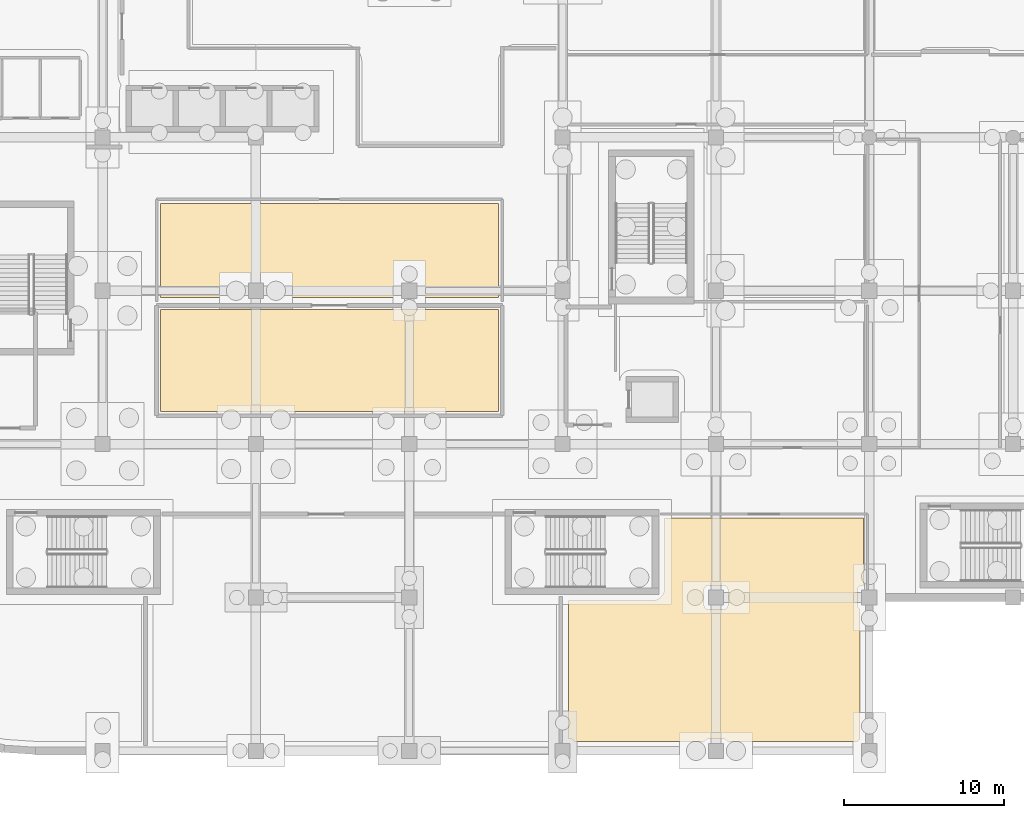
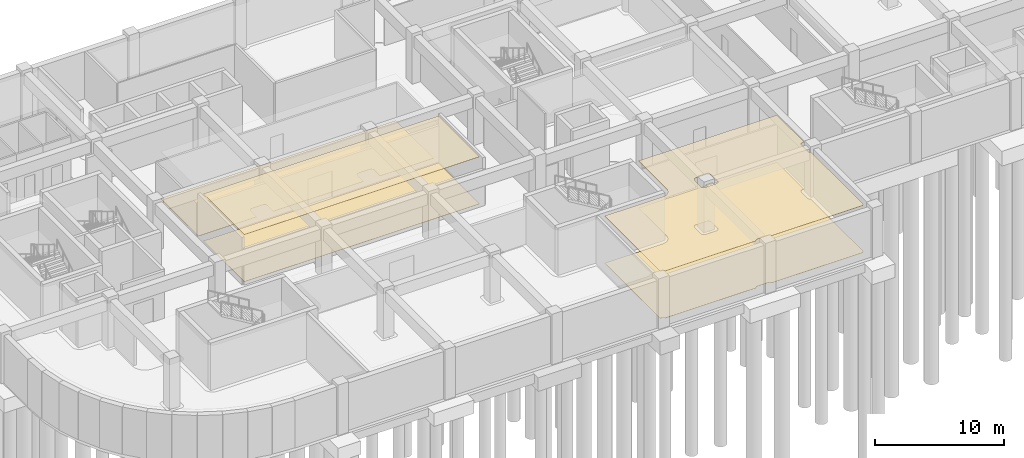
# One storey, part 25 of 47: 5 coverings.
"""IFC4 building model written with IfcOpenShell, lengths in metres."""

from ifc_helpers import new_model, si_unit, direction, frame, origin, place, context, subcontext, project, spatial, polyline, outline, extrude, material, layer, layer_set, type_object, element, save


model = new_model("IFC4")

# Units and contexts
model_context = context("Model", 3, precision=1e-05, world=origin(), true_north=direction((0.0, 1.0)))
body_context = subcontext(model_context, "Body", "Model", "MODEL_VIEW")
ifc_project = project(units=[si_unit("LENGTHUNIT", "METRE"), si_unit("AREAUNIT", "SQUARE_METRE"), si_unit("VOLUMEUNIT", "CUBIC_METRE"), si_unit("PLANEANGLEUNIT", "RADIAN"), si_unit("MASSUNIT", "GRAM", prefix="KILO")], contexts=[model_context])

# Site, building, storey
site_placement = place(None, origin())
site = spatial("IfcSite", under=ifc_project, at=site_placement, CompositionType="ELEMENT")
building_placement = place(site_placement, origin())
building = spatial("IfcBuilding", under=site, at=building_placement, Name="Cendralis Terraced Arcade", CompositionType="ELEMENT")
storey_placement = place(building_placement, frame((0.0, 0.0, -4.800048828125)))
storey = spatial("IfcBuildingStorey", under=building, at=storey_placement, Name="B1", CompositionType="ELEMENT", Elevation=-4.800048828125)

# Coverings
ifc_material_1 = material(Name="Warm Andean oak timber", Category="wood")
ifc_layer_1 = layer(ifc_material_1, 0.034912109375, Name="COV-CEIL-OAK-35")
ifc_layer_set_1 = layer_set([ifc_layer_1], Name="Warm Andean oak timber")
covering_type_1 = type_object("IfcCoveringType", Name="COV-CEIL-OAK-35", PredefinedType="CEILING", material=ifc_layer_set_1)
covering_1_placement = place(storey_placement, frame((0.0, 0.0, 4.465087890625)))
element("IfcCovering", 1, at=covering_1_placement, inside=storey, type_object=covering_type_1, Name="Acoustic Soffit Ceiling B1-003", PredefinedType="CEILING", context=body_context, shape_type="SweptSolid", body=[
    extrude(outline(polyline([(43.969970703125, 21.22998046875), (22.830078125, 21.22998046875), (22.830078125, 27.6298828125), (43.969970703125, 27.6298828125), (43.969970703125, 21.22998046875)])), origin(), (0.0, 0.0, 1.0), 0.034912109375),
])
covering_2_placement = place(storey_placement, frame((0.0, 0.0, 4.465087890625)))
element("IfcCovering", 2, at=covering_2_placement, inside=storey, type_object=covering_type_1, Name="Acoustic Soffit Ceiling B1-007", PredefinedType="CEILING", context=body_context, shape_type="SweptSolid", body=[
    extrude(outline(polyline([(48.718505859375, 0.59130859375), (48.70703125, 0.613037109375), (48.7060546875, 0.614501953125), (48.6923828125, 0.635009765625), (48.69140625, 0.63671875), (48.67578125, 0.655517578125), (48.67431640625, 0.656982421875), (48.656982421875, 0.67431640625), (48.655517578125, 0.67578125), (48.63671875, 0.69140625), (48.635009765625, 0.6923828125), (48.614501953125, 0.7060546875), (48.613037109375, 0.70703125), (48.59130859375, 0.718505859375), (48.589599609375, 0.719482421875), (48.56689453125, 0.72900390625), (48.56494140625, 0.7294921875), (48.54150390625, 0.736572265625), (48.53955078125, 0.737060546875), (48.515625, 0.741943359375), (48.513671875, 0.7421875), (48.4892578125, 0.74462890625), (48.4873046875, 0.74462890625), (48.47509765625, 0.7451171875), (48.3701171875, 0.7451171875), (48.3701171875, 9.409912109375), (53.60009765625, 9.409912109375), (53.606201171875, 9.41015625), (53.612060546875, 9.41015625), (53.6181640625, 9.410400390625), (53.6591796875, 9.41259765625), (53.671630859375, 9.413330078125), (53.683349609375, 9.41455078125), (53.695556640625, 9.416015625), (53.736083984375, 9.422119140625), (53.748291015625, 9.42431640625), (53.760009765625, 9.426513671875), (53.771728515625, 9.42919921875), (53.811767578125, 9.439208984375), (53.823486328125, 9.4423828125), (53.8349609375, 9.44580078125), (53.8466796875, 9.44970703125), (53.885498046875, 9.463623046875), (53.896728515625, 9.468017578125), (53.90771484375, 9.472412109375), (53.9189453125, 9.4775390625), (53.956298828125, 9.4951171875), (53.967041015625, 9.50048828125), (53.9775390625, 9.506103515625), (53.98828125, 9.51220703125), (54.023681640625, 9.533447265625), (54.033935546875, 9.5400390625), (54.043701171875, 9.54638671875), (54.0537109375, 9.5537109375), (54.0869140625, 9.578125), (54.096435546875, 9.585693359375), (54.105712890625, 9.59326171875), (54.114990234375, 9.601318359375), (54.1455078125, 9.62890625), (54.154296875, 9.63720703125), (54.16259765625, 9.645751953125), (54.171142578125, 9.654541015625), (54.19873046875, 9.68505859375), (54.206787109375, 9.6943359375), (54.21435546875, 9.70361328125), (54.221923828125, 9.713134765625), (54.246337890625, 9.746337890625), (54.25341796875, 9.75634765625), (54.260009765625, 9.76611328125), (54.2666015625, 9.7763671875), (54.287841796875, 9.811767578125), (54.293701171875, 9.822509765625), (54.29931640625, 9.8330078125), (54.304931640625, 9.84375), (54.322509765625, 9.881103515625), (54.327392578125, 9.892333984375), (54.33203125, 9.9033203125), (54.33642578125, 9.91455078125), (54.350341796875, 9.953369140625), (54.35400390625, 9.965087890625), (54.357666015625, 9.976318359375), (54.36083984375, 9.98828125), (54.370849609375, 10.0283203125), (54.37353515625, 10.0400390625), (54.375732421875, 10.0517578125), (54.3779296875, 10.063720703125), (54.384033203125, 10.1044921875), (54.385498046875, 10.11669921875), (54.38671875, 10.12841796875), (54.387451171875, 10.140625), (54.3896484375, 10.181884765625), (54.389892578125, 10.18798828125), (54.389892578125, 10.19384765625), (54.389892578125, 10.199951171875), (54.389892578125, 14.570068359375), (66.830078125, 14.570068359375), (66.830078125, 10.344970703125), (66.72509765625, 10.344970703125), (66.712646484375, 10.3447265625), (66.710693359375, 10.344482421875), (66.686279296875, 10.34228515625), (66.684326171875, 10.341796875), (66.660400390625, 10.337158203125), (66.658447265625, 10.336669921875), (66.635009765625, 10.32958984375), (66.633056640625, 10.328857421875), (66.610595703125, 10.319580078125), (66.608642578125, 10.318603515625), (66.5869140625, 10.30712890625), (66.58544921875, 10.30615234375), (66.56494140625, 10.29248046875), (66.5634765625, 10.291259765625), (66.54443359375, 10.275634765625), (66.54296875, 10.2744140625), (66.525634765625, 10.257080078125), (66.5244140625, 10.255615234375), (66.5087890625, 10.236572265625), (66.507568359375, 10.235107421875), (66.493896484375, 10.214599609375), (66.492919921875, 10.212890625), (66.4814453125, 10.19140625), (66.48046875, 10.189453125), (66.47119140625, 10.1669921875), (66.470458984375, 10.1650390625), (66.46337890625, 10.1416015625), (66.462890625, 10.1396484375), (66.4580078125, 10.115478515625), (66.457763671875, 10.113525390625), (66.455322265625, 10.089111328125), (66.455322265625, 10.08740234375), (66.455078125, 10.074951171875), (66.455078125, 9.125), (66.455322265625, 9.11279296875), (66.455322265625, 9.11083984375), (66.457763671875, 9.08642578125), (66.4580078125, 9.08447265625), (66.462890625, 9.060302734375), (66.46337890625, 9.058349609375), (66.470458984375, 9.034912109375), (66.47119140625, 9.033203125), (66.48046875, 9.010498046875), (66.4814453125, 9.0087890625), (66.492919921875, 8.987060546875), (66.493896484375, 8.9853515625), (66.507568359375, 8.965087890625), (66.5087890625, 8.96337890625), (66.5244140625, 8.9443359375), (66.525634765625, 8.943115234375), (66.54296875, 8.925537109375), (66.54443359375, 8.92431640625), (66.5634765625, 8.90869140625), (66.56494140625, 8.90771484375), (66.58544921875, 8.893798828125), (66.5869140625, 8.892822265625), (66.608642578125, 8.88134765625), (66.610107421875, 8.880615234375), (66.610107421875, 0.71923828125), (66.608642578125, 0.718505859375), (66.5869140625, 0.70703125), (66.58544921875, 0.7060546875), (66.56494140625, 0.6923828125), (66.5634765625, 0.69140625), (66.54443359375, 0.67578125), (66.54296875, 0.67431640625), (66.525634765625, 0.656982421875), (66.5244140625, 0.655517578125), (66.5087890625, 0.63671875), (66.507568359375, 0.635009765625), (66.493896484375, 0.614501953125), (66.492919921875, 0.613037109375), (66.4814453125, 0.59130859375), (66.480712890625, 0.590087890625), (58.3193359375, 0.590087890625), (58.318603515625, 0.59130859375), (58.30712890625, 0.613037109375), (58.30615234375, 0.614501953125), (58.29248046875, 0.635009765625), (58.291259765625, 0.63671875), (58.275634765625, 0.655517578125), (58.2744140625, 0.656982421875), (58.257080078125, 0.67431640625), (58.255615234375, 0.67578125), (58.236572265625, 0.69140625), (58.235107421875, 0.6923828125), (58.214599609375, 0.7060546875), (58.212890625, 0.70703125), (58.19140625, 0.718505859375), (58.189453125, 0.719482421875), (58.1669921875, 0.72900390625), (58.1650390625, 0.7294921875), (58.1416015625, 0.736572265625), (58.1396484375, 0.737060546875), (58.115478515625, 0.741943359375), (58.113525390625, 0.7421875), (58.089111328125, 0.74462890625), (58.08740234375, 0.74462890625), (58.074951171875, 0.7451171875), (57.125, 0.7451171875), (57.11279296875, 0.74462890625), (57.11083984375, 0.74462890625), (57.08642578125, 0.7421875), (57.08447265625, 0.741943359375), (57.060302734375, 0.737060546875), (57.058349609375, 0.736572265625), (57.034912109375, 0.7294921875), (57.033203125, 0.72900390625), (57.010498046875, 0.719482421875), (57.0087890625, 0.718505859375), (56.987060546875, 0.70703125), (56.9853515625, 0.7060546875), (56.965087890625, 0.6923828125), (56.96337890625, 0.69140625), (56.9443359375, 0.67578125), (56.943115234375, 0.67431640625), (56.925537109375, 0.656982421875), (56.92431640625, 0.655517578125), (56.90869140625, 0.63671875), (56.90771484375, 0.635009765625), (56.893798828125, 0.614501953125), (56.892822265625, 0.613037109375), (56.88134765625, 0.59130859375), (56.880615234375, 0.590087890625), (48.71923828125, 0.590087890625), (48.718505859375, 0.59130859375)]), holes=[polyline([(57.0087890625, 8.88134765625), (57.010498046875, 8.880615234375), (57.033203125, 8.87109375), (57.034912109375, 8.87060546875), (57.058349609375, 8.86328125), (57.060302734375, 8.86279296875), (57.08447265625, 8.858154296875), (57.08642578125, 8.85791015625), (57.11083984375, 8.85546875), (57.11279296875, 8.855224609375), (57.125, 8.85498046875), (58.074951171875, 8.85498046875), (58.08740234375, 8.855224609375), (58.089111328125, 8.85546875), (58.113525390625, 8.85791015625), (58.115478515625, 8.858154296875), (58.1396484375, 8.86279296875), (58.1416015625, 8.86328125), (58.1650390625, 8.87060546875), (58.1669921875, 8.87109375), (58.189453125, 8.880615234375), (58.19140625, 8.88134765625), (58.212890625, 8.892822265625), (58.214599609375, 8.893798828125), (58.235107421875, 8.90771484375), (58.236572265625, 8.90869140625), (58.255615234375, 8.92431640625), (58.257080078125, 8.925537109375), (58.2744140625, 8.943115234375), (58.275634765625, 8.9443359375), (58.291259765625, 8.96337890625), (58.29248046875, 8.965087890625), (58.30615234375, 8.9853515625), (58.30712890625, 8.987060546875), (58.318603515625, 9.0087890625), (58.319580078125, 9.010498046875), (58.328857421875, 9.033203125), (58.32958984375, 9.034912109375), (58.336669921875, 9.058349609375), (58.337158203125, 9.060302734375), (58.341796875, 9.08447265625), (58.34228515625, 9.08642578125), (58.344482421875, 9.11083984375), (58.3447265625, 9.11279296875), (58.344970703125, 9.125), (58.344970703125, 10.074951171875), (58.3447265625, 10.08740234375), (58.344482421875, 10.089111328125), (58.34228515625, 10.113525390625), (58.341796875, 10.115478515625), (58.337158203125, 10.1396484375), (58.336669921875, 10.1416015625), (58.32958984375, 10.1650390625), (58.328857421875, 10.1669921875), (58.319580078125, 10.189453125), (58.318603515625, 10.19140625), (58.30712890625, 10.212890625), (58.30615234375, 10.214599609375), (58.29248046875, 10.235107421875), (58.291259765625, 10.236572265625), (58.275634765625, 10.255615234375), (58.2744140625, 10.257080078125), (58.257080078125, 10.2744140625), (58.255615234375, 10.275634765625), (58.236572265625, 10.291259765625), (58.235107421875, 10.29248046875), (58.214599609375, 10.30615234375), (58.212890625, 10.30712890625), (58.19140625, 10.318603515625), (58.189453125, 10.319580078125), (58.1669921875, 10.328857421875), (58.1650390625, 10.32958984375), (58.1416015625, 10.336669921875), (58.1396484375, 10.337158203125), (58.115478515625, 10.341796875), (58.113525390625, 10.34228515625), (58.089111328125, 10.344482421875), (58.08740234375, 10.3447265625), (58.074951171875, 10.344970703125), (57.125, 10.344970703125), (57.11279296875, 10.3447265625), (57.11083984375, 10.344482421875), (57.08642578125, 10.34228515625), (57.08447265625, 10.341796875), (57.060302734375, 10.337158203125), (57.058349609375, 10.336669921875), (57.034912109375, 10.32958984375), (57.033203125, 10.328857421875), (57.010498046875, 10.319580078125), (57.0087890625, 10.318603515625), (56.987060546875, 10.30712890625), (56.9853515625, 10.30615234375), (56.965087890625, 10.29248046875), (56.96337890625, 10.291259765625), (56.9443359375, 10.275634765625), (56.943115234375, 10.2744140625), (56.925537109375, 10.257080078125), (56.92431640625, 10.255615234375), (56.90869140625, 10.236572265625), (56.90771484375, 10.235107421875), (56.893798828125, 10.214599609375), (56.892822265625, 10.212890625), (56.88134765625, 10.19140625), (56.880615234375, 10.189453125), (56.87109375, 10.1669921875), (56.87060546875, 10.1650390625), (56.86328125, 10.1416015625), (56.86279296875, 10.1396484375), (56.858154296875, 10.115478515625), (56.85791015625, 10.113525390625), (56.85546875, 10.089111328125), (56.855224609375, 10.08740234375), (56.85498046875, 10.074951171875), (56.85498046875, 9.125), (56.855224609375, 9.11279296875), (56.85546875, 9.11083984375), (56.85791015625, 9.08642578125), (56.858154296875, 9.08447265625), (56.86279296875, 9.060302734375), (56.86328125, 9.058349609375), (56.87060546875, 9.034912109375), (56.87109375, 9.033203125), (56.880615234375, 9.010498046875), (56.88134765625, 9.0087890625), (56.892822265625, 8.987060546875), (56.893798828125, 8.9853515625), (56.90771484375, 8.965087890625), (56.90869140625, 8.96337890625), (56.92431640625, 8.9443359375), (56.925537109375, 8.943115234375), (56.943115234375, 8.925537109375), (56.9443359375, 8.92431640625), (56.96337890625, 8.90869140625), (56.965087890625, 8.90771484375), (56.9853515625, 8.893798828125), (56.987060546875, 8.892822265625), (57.0087890625, 8.88134765625)])]), origin(), (0.0, 0.0, 1.0), 0.034912109375),
])
ifc_layer_2 = layer(ifc_material_1, 0.02197265625, Name="COV-FLR-OAK-22")
ifc_layer_set_2 = layer_set([ifc_layer_2], Name="Warm Andean oak timber")
covering_type_2 = type_object("IfcCoveringType", Name="COV-FLR-OAK-22", PredefinedType="FLOORING", material=ifc_layer_set_2)
covering_3_placement = place(storey_placement, origin())
element("IfcCovering", 3, at=covering_3_placement, inside=storey, type_object=covering_type_2, Name="Interior Finish Flooring B1-003", PredefinedType="FLOORING", context=body_context, shape_type="SweptSolid", body=[
    extrude(outline(polyline([(43.969970703125, 21.22998046875), (22.830078125, 21.22998046875), (22.830078125, 27.6298828125), (43.969970703125, 27.6298828125), (43.969970703125, 21.22998046875)])), origin(), (0.0, 0.0, 1.0), 0.02197265625),
])
covering_4_placement = place(storey_placement, origin())
element("IfcCovering", 4, at=covering_4_placement, inside=storey, type_object=covering_type_2, Name="Interior Finish Flooring B1-007", PredefinedType="FLOORING", context=body_context, shape_type="SweptSolid", body=[
    extrude(outline(polyline([(48.718505859375, 0.59130859375), (48.70703125, 0.613037109375), (48.7060546875, 0.614501953125), (48.6923828125, 0.635009765625), (48.69140625, 0.63671875), (48.67578125, 0.655517578125), (48.67431640625, 0.656982421875), (48.656982421875, 0.67431640625), (48.655517578125, 0.67578125), (48.63671875, 0.69140625), (48.635009765625, 0.6923828125), (48.614501953125, 0.7060546875), (48.613037109375, 0.70703125), (48.59130859375, 0.718505859375), (48.589599609375, 0.719482421875), (48.56689453125, 0.72900390625), (48.56494140625, 0.7294921875), (48.54150390625, 0.736572265625), (48.53955078125, 0.737060546875), (48.515625, 0.741943359375), (48.513671875, 0.7421875), (48.4892578125, 0.74462890625), (48.4873046875, 0.74462890625), (48.47509765625, 0.7451171875), (48.3701171875, 0.7451171875), (48.3701171875, 9.409912109375), (53.60009765625, 9.409912109375), (53.606201171875, 9.41015625), (53.612060546875, 9.41015625), (53.6181640625, 9.410400390625), (53.6591796875, 9.41259765625), (53.671630859375, 9.413330078125), (53.683349609375, 9.41455078125), (53.695556640625, 9.416015625), (53.736083984375, 9.422119140625), (53.748291015625, 9.42431640625), (53.760009765625, 9.426513671875), (53.771728515625, 9.42919921875), (53.811767578125, 9.439208984375), (53.823486328125, 9.4423828125), (53.8349609375, 9.44580078125), (53.8466796875, 9.44970703125), (53.885498046875, 9.463623046875), (53.896728515625, 9.468017578125), (53.90771484375, 9.472412109375), (53.9189453125, 9.4775390625), (53.956298828125, 9.4951171875), (53.967041015625, 9.50048828125), (53.9775390625, 9.506103515625), (53.98828125, 9.51220703125), (54.023681640625, 9.533447265625), (54.033935546875, 9.5400390625), (54.043701171875, 9.54638671875), (54.0537109375, 9.5537109375), (54.0869140625, 9.578125), (54.096435546875, 9.585693359375), (54.105712890625, 9.59326171875), (54.114990234375, 9.601318359375), (54.1455078125, 9.62890625), (54.154296875, 9.63720703125), (54.16259765625, 9.645751953125), (54.171142578125, 9.654541015625), (54.19873046875, 9.68505859375), (54.206787109375, 9.6943359375), (54.21435546875, 9.70361328125), (54.221923828125, 9.713134765625), (54.246337890625, 9.746337890625), (54.25341796875, 9.75634765625), (54.260009765625, 9.76611328125), (54.2666015625, 9.7763671875), (54.287841796875, 9.811767578125), (54.293701171875, 9.822509765625), (54.29931640625, 9.8330078125), (54.304931640625, 9.84375), (54.322509765625, 9.881103515625), (54.327392578125, 9.892333984375), (54.33203125, 9.9033203125), (54.33642578125, 9.91455078125), (54.350341796875, 9.953369140625), (54.35400390625, 9.965087890625), (54.357666015625, 9.976318359375), (54.36083984375, 9.98828125), (54.370849609375, 10.0283203125), (54.37353515625, 10.0400390625), (54.375732421875, 10.0517578125), (54.3779296875, 10.063720703125), (54.384033203125, 10.1044921875), (54.385498046875, 10.11669921875), (54.38671875, 10.12841796875), (54.387451171875, 10.140625), (54.3896484375, 10.181884765625), (54.389892578125, 10.18798828125), (54.389892578125, 10.19384765625), (54.389892578125, 10.199951171875), (54.389892578125, 14.570068359375), (66.830078125, 14.570068359375), (66.830078125, 10.344970703125), (66.72509765625, 10.344970703125), (66.712646484375, 10.3447265625), (66.710693359375, 10.344482421875), (66.686279296875, 10.34228515625), (66.684326171875, 10.341796875), (66.660400390625, 10.337158203125), (66.658447265625, 10.336669921875), (66.635009765625, 10.32958984375), (66.633056640625, 10.328857421875), (66.610595703125, 10.319580078125), (66.608642578125, 10.318603515625), (66.5869140625, 10.30712890625), (66.58544921875, 10.30615234375), (66.56494140625, 10.29248046875), (66.5634765625, 10.291259765625), (66.54443359375, 10.275634765625), (66.54296875, 10.2744140625), (66.525634765625, 10.257080078125), (66.5244140625, 10.255615234375), (66.5087890625, 10.236572265625), (66.507568359375, 10.235107421875), (66.493896484375, 10.214599609375), (66.492919921875, 10.212890625), (66.4814453125, 10.19140625), (66.48046875, 10.189453125), (66.47119140625, 10.1669921875), (66.470458984375, 10.1650390625), (66.46337890625, 10.1416015625), (66.462890625, 10.1396484375), (66.4580078125, 10.115478515625), (66.457763671875, 10.113525390625), (66.455322265625, 10.089111328125), (66.455322265625, 10.08740234375), (66.455078125, 10.074951171875), (66.455078125, 9.125), (66.455322265625, 9.11279296875), (66.455322265625, 9.11083984375), (66.457763671875, 9.08642578125), (66.4580078125, 9.08447265625), (66.462890625, 9.060302734375), (66.46337890625, 9.058349609375), (66.470458984375, 9.034912109375), (66.47119140625, 9.033203125), (66.48046875, 9.010498046875), (66.4814453125, 9.0087890625), (66.492919921875, 8.987060546875), (66.493896484375, 8.9853515625), (66.507568359375, 8.965087890625), (66.5087890625, 8.96337890625), (66.5244140625, 8.9443359375), (66.525634765625, 8.943115234375), (66.54296875, 8.925537109375), (66.54443359375, 8.92431640625), (66.5634765625, 8.90869140625), (66.56494140625, 8.90771484375), (66.58544921875, 8.893798828125), (66.5869140625, 8.892822265625), (66.608642578125, 8.88134765625), (66.610107421875, 8.880615234375), (66.610107421875, 0.71923828125), (66.608642578125, 0.718505859375), (66.5869140625, 0.70703125), (66.58544921875, 0.7060546875), (66.56494140625, 0.6923828125), (66.5634765625, 0.69140625), (66.54443359375, 0.67578125), (66.54296875, 0.67431640625), (66.525634765625, 0.656982421875), (66.5244140625, 0.655517578125), (66.5087890625, 0.63671875), (66.507568359375, 0.635009765625), (66.493896484375, 0.614501953125), (66.492919921875, 0.613037109375), (66.4814453125, 0.59130859375), (66.480712890625, 0.590087890625), (58.3193359375, 0.590087890625), (58.318603515625, 0.59130859375), (58.30712890625, 0.613037109375), (58.30615234375, 0.614501953125), (58.29248046875, 0.635009765625), (58.291259765625, 0.63671875), (58.275634765625, 0.655517578125), (58.2744140625, 0.656982421875), (58.257080078125, 0.67431640625), (58.255615234375, 0.67578125), (58.236572265625, 0.69140625), (58.235107421875, 0.6923828125), (58.214599609375, 0.7060546875), (58.212890625, 0.70703125), (58.19140625, 0.718505859375), (58.189453125, 0.719482421875), (58.1669921875, 0.72900390625), (58.1650390625, 0.7294921875), (58.1416015625, 0.736572265625), (58.1396484375, 0.737060546875), (58.115478515625, 0.741943359375), (58.113525390625, 0.7421875), (58.089111328125, 0.74462890625), (58.08740234375, 0.74462890625), (58.074951171875, 0.7451171875), (57.125, 0.7451171875), (57.11279296875, 0.74462890625), (57.11083984375, 0.74462890625), (57.08642578125, 0.7421875), (57.08447265625, 0.741943359375), (57.060302734375, 0.737060546875), (57.058349609375, 0.736572265625), (57.034912109375, 0.7294921875), (57.033203125, 0.72900390625), (57.010498046875, 0.719482421875), (57.0087890625, 0.718505859375), (56.987060546875, 0.70703125), (56.9853515625, 0.7060546875), (56.965087890625, 0.6923828125), (56.96337890625, 0.69140625), (56.9443359375, 0.67578125), (56.943115234375, 0.67431640625), (56.925537109375, 0.656982421875), (56.92431640625, 0.655517578125), (56.90869140625, 0.63671875), (56.90771484375, 0.635009765625), (56.893798828125, 0.614501953125), (56.892822265625, 0.613037109375), (56.88134765625, 0.59130859375), (56.880615234375, 0.590087890625), (48.71923828125, 0.590087890625), (48.718505859375, 0.59130859375)]), holes=[polyline([(57.0087890625, 8.88134765625), (57.010498046875, 8.880615234375), (57.033203125, 8.87109375), (57.034912109375, 8.87060546875), (57.058349609375, 8.86328125), (57.060302734375, 8.86279296875), (57.08447265625, 8.858154296875), (57.08642578125, 8.85791015625), (57.11083984375, 8.85546875), (57.11279296875, 8.855224609375), (57.125, 8.85498046875), (58.074951171875, 8.85498046875), (58.08740234375, 8.855224609375), (58.089111328125, 8.85546875), (58.113525390625, 8.85791015625), (58.115478515625, 8.858154296875), (58.1396484375, 8.86279296875), (58.1416015625, 8.86328125), (58.1650390625, 8.87060546875), (58.1669921875, 8.87109375), (58.189453125, 8.880615234375), (58.19140625, 8.88134765625), (58.212890625, 8.892822265625), (58.214599609375, 8.893798828125), (58.235107421875, 8.90771484375), (58.236572265625, 8.90869140625), (58.255615234375, 8.92431640625), (58.257080078125, 8.925537109375), (58.2744140625, 8.943115234375), (58.275634765625, 8.9443359375), (58.291259765625, 8.96337890625), (58.29248046875, 8.965087890625), (58.30615234375, 8.9853515625), (58.30712890625, 8.987060546875), (58.318603515625, 9.0087890625), (58.319580078125, 9.010498046875), (58.328857421875, 9.033203125), (58.32958984375, 9.034912109375), (58.336669921875, 9.058349609375), (58.337158203125, 9.060302734375), (58.341796875, 9.08447265625), (58.34228515625, 9.08642578125), (58.344482421875, 9.11083984375), (58.3447265625, 9.11279296875), (58.344970703125, 9.125), (58.344970703125, 10.074951171875), (58.3447265625, 10.08740234375), (58.344482421875, 10.089111328125), (58.34228515625, 10.113525390625), (58.341796875, 10.115478515625), (58.337158203125, 10.1396484375), (58.336669921875, 10.1416015625), (58.32958984375, 10.1650390625), (58.328857421875, 10.1669921875), (58.319580078125, 10.189453125), (58.318603515625, 10.19140625), (58.30712890625, 10.212890625), (58.30615234375, 10.214599609375), (58.29248046875, 10.235107421875), (58.291259765625, 10.236572265625), (58.275634765625, 10.255615234375), (58.2744140625, 10.257080078125), (58.257080078125, 10.2744140625), (58.255615234375, 10.275634765625), (58.236572265625, 10.291259765625), (58.235107421875, 10.29248046875), (58.214599609375, 10.30615234375), (58.212890625, 10.30712890625), (58.19140625, 10.318603515625), (58.189453125, 10.319580078125), (58.1669921875, 10.328857421875), (58.1650390625, 10.32958984375), (58.1416015625, 10.336669921875), (58.1396484375, 10.337158203125), (58.115478515625, 10.341796875), (58.113525390625, 10.34228515625), (58.089111328125, 10.344482421875), (58.08740234375, 10.3447265625), (58.074951171875, 10.344970703125), (57.125, 10.344970703125), (57.11279296875, 10.3447265625), (57.11083984375, 10.344482421875), (57.08642578125, 10.34228515625), (57.08447265625, 10.341796875), (57.060302734375, 10.337158203125), (57.058349609375, 10.336669921875), (57.034912109375, 10.32958984375), (57.033203125, 10.328857421875), (57.010498046875, 10.319580078125), (57.0087890625, 10.318603515625), (56.987060546875, 10.30712890625), (56.9853515625, 10.30615234375), (56.965087890625, 10.29248046875), (56.96337890625, 10.291259765625), (56.9443359375, 10.275634765625), (56.943115234375, 10.2744140625), (56.925537109375, 10.257080078125), (56.92431640625, 10.255615234375), (56.90869140625, 10.236572265625), (56.90771484375, 10.235107421875), (56.893798828125, 10.214599609375), (56.892822265625, 10.212890625), (56.88134765625, 10.19140625), (56.880615234375, 10.189453125), (56.87109375, 10.1669921875), (56.87060546875, 10.1650390625), (56.86328125, 10.1416015625), (56.86279296875, 10.1396484375), (56.858154296875, 10.115478515625), (56.85791015625, 10.113525390625), (56.85546875, 10.089111328125), (56.855224609375, 10.08740234375), (56.85498046875, 10.074951171875), (56.85498046875, 9.125), (56.855224609375, 9.11279296875), (56.85546875, 9.11083984375), (56.85791015625, 9.08642578125), (56.858154296875, 9.08447265625), (56.86279296875, 9.060302734375), (56.86328125, 9.058349609375), (56.87060546875, 9.034912109375), (56.87109375, 9.033203125), (56.880615234375, 9.010498046875), (56.88134765625, 9.0087890625), (56.892822265625, 8.987060546875), (56.893798828125, 8.9853515625), (56.90771484375, 8.965087890625), (56.90869140625, 8.96337890625), (56.92431640625, 8.9443359375), (56.925537109375, 8.943115234375), (56.943115234375, 8.925537109375), (56.9443359375, 8.92431640625), (56.96337890625, 8.90869140625), (56.965087890625, 8.90771484375), (56.9853515625, 8.893798828125), (56.987060546875, 8.892822265625), (57.0087890625, 8.88134765625)])]), origin(), (0.0, 0.0, 1.0), 0.02197265625),
])
ifc_material_2 = material(Name="Polished Bogota limestone terrazzo flooring", Category="masonry")
ifc_layer_3 = layer(ifc_material_2, 0.030029296875, Name="COV-FLR-TERZ-30")
ifc_layer_set_3 = layer_set([ifc_layer_3], Name="Polished Bogota limestone terrazzo flooring")
covering_type_3 = type_object("IfcCoveringType", Name="COV-FLR-TERZ-30", PredefinedType="FLOORING", material=ifc_layer_set_3)
covering_5_placement = place(storey_placement, origin())
element("IfcCovering", 5, at=covering_5_placement, inside=storey, type_object=covering_type_3, Name="Interior Finish Flooring B1-006", PredefinedType="FLOORING", context=body_context, shape_type="SweptSolid", body=[
    extrude(outline(polyline([(22.830078125, 28.3701171875), (22.830078125, 34.27001953125), (43.969970703125, 34.27001953125), (43.969970703125, 28.3701171875), (39.14501953125, 28.3701171875), (39.14501953125, 29.27490234375), (39.144775390625, 29.287353515625), (39.14453125, 29.289306640625), (39.14208984375, 29.313720703125), (39.141845703125, 29.315673828125), (39.13720703125, 29.339599609375), (39.13671875, 29.341552734375), (39.12939453125, 29.364990234375), (39.12890625, 29.366943359375), (39.119384765625, 29.389404296875), (39.11865234375, 29.391357421875), (39.107177734375, 29.4130859375), (39.106201171875, 29.41455078125), (39.09228515625, 29.43505859375), (39.09130859375, 29.4365234375), (39.07568359375, 29.45556640625), (39.074462890625, 29.45703125), (39.056884765625, 29.474365234375), (39.0556640625, 29.4755859375), (39.03662109375, 29.4912109375), (39.034912109375, 29.492431640625), (39.0146484375, 29.506103515625), (39.012939453125, 29.507080078125), (38.9912109375, 29.5185546875), (38.989501953125, 29.51953125), (38.966796875, 29.52880859375), (38.965087890625, 29.529541015625), (38.941650390625, 29.53662109375), (38.939697265625, 29.537109375), (38.91552734375, 29.5419921875), (38.91357421875, 29.542236328125), (38.88916015625, 29.544677734375), (38.88720703125, 29.544677734375), (38.875, 29.544921875), (37.925048828125, 29.544921875), (37.91259765625, 29.544677734375), (37.910888671875, 29.544677734375), (37.886474609375, 29.542236328125), (37.884521484375, 29.5419921875), (37.8603515625, 29.537109375), (37.8583984375, 29.53662109375), (37.8349609375, 29.529541015625), (37.8330078125, 29.52880859375), (37.810546875, 29.51953125), (37.80859375, 29.5185546875), (37.787109375, 29.507080078125), (37.785400390625, 29.506103515625), (37.764892578125, 29.492431640625), (37.763427734375, 29.4912109375), (37.744384765625, 29.4755859375), (37.742919921875, 29.474365234375), (37.7255859375, 29.45703125), (37.724365234375, 29.45556640625), (37.708740234375, 29.4365234375), (37.70751953125, 29.43505859375), (37.69384765625, 29.41455078125), (37.69287109375, 29.4130859375), (37.681396484375, 29.391357421875), (37.680419921875, 29.389404296875), (37.671142578125, 29.366943359375), (37.67041015625, 29.364990234375), (37.663330078125, 29.341552734375), (37.662841796875, 29.339599609375), (37.658203125, 29.315673828125), (37.65771484375, 29.313720703125), (37.655517578125, 29.289306640625), (37.6552734375, 29.287353515625), (37.655029296875, 29.27490234375), (37.655029296875, 28.3701171875), (29.544921875, 28.3701171875), (29.544921875, 29.27490234375), (29.544677734375, 29.287353515625), (29.544677734375, 29.289306640625), (29.542236328125, 29.313720703125), (29.5419921875, 29.315673828125), (29.537109375, 29.339599609375), (29.53662109375, 29.341552734375), (29.529541015625, 29.364990234375), (29.52880859375, 29.366943359375), (29.51953125, 29.389404296875), (29.5185546875, 29.391357421875), (29.507080078125, 29.4130859375), (29.506103515625, 29.41455078125), (29.492431640625, 29.43505859375), (29.4912109375, 29.4365234375), (29.4755859375, 29.45556640625), (29.474365234375, 29.45703125), (29.45703125, 29.474365234375), (29.45556640625, 29.4755859375), (29.4365234375, 29.4912109375), (29.43505859375, 29.492431640625), (29.41455078125, 29.506103515625), (29.4130859375, 29.507080078125), (29.391357421875, 29.5185546875), (29.389404296875, 29.51953125), (29.366943359375, 29.52880859375), (29.364990234375, 29.529541015625), (29.341552734375, 29.53662109375), (29.339599609375, 29.537109375), (29.315673828125, 29.5419921875), (29.313720703125, 29.542236328125), (29.289306640625, 29.544677734375), (29.287353515625, 29.544677734375), (29.27490234375, 29.544921875), (28.324951171875, 29.544921875), (28.312744140625, 29.544677734375), (28.310791015625, 29.544677734375), (28.286376953125, 29.542236328125), (28.284423828125, 29.5419921875), (28.260498046875, 29.537109375), (28.25830078125, 29.53662109375), (28.235107421875, 29.529541015625), (28.233154296875, 29.52880859375), (28.21044921875, 29.51953125), (28.208740234375, 29.5185546875), (28.18701171875, 29.507080078125), (28.185302734375, 29.506103515625), (28.1650390625, 29.492431640625), (28.163330078125, 29.4912109375), (28.144287109375, 29.4755859375), (28.14306640625, 29.474365234375), (28.12548828125, 29.45703125), (28.124267578125, 29.45556640625), (28.108642578125, 29.4365234375), (28.107666015625, 29.43505859375), (28.093994140625, 29.41455078125), (28.093017578125, 29.4130859375), (28.081298828125, 29.391357421875), (28.08056640625, 29.389404296875), (28.071044921875, 29.366943359375), (28.070556640625, 29.364990234375), (28.0634765625, 29.341552734375), (28.06298828125, 29.339599609375), (28.05810546875, 29.315673828125), (28.057861328125, 29.313720703125), (28.055419921875, 29.289306640625), (28.055419921875, 29.287353515625), (28.054931640625, 29.27490234375), (28.054931640625, 28.3701171875), (22.830078125, 28.3701171875)])), origin(), (0.0, 0.0, 1.0), 0.030029296875),
])

save(model, "model.ifc")
